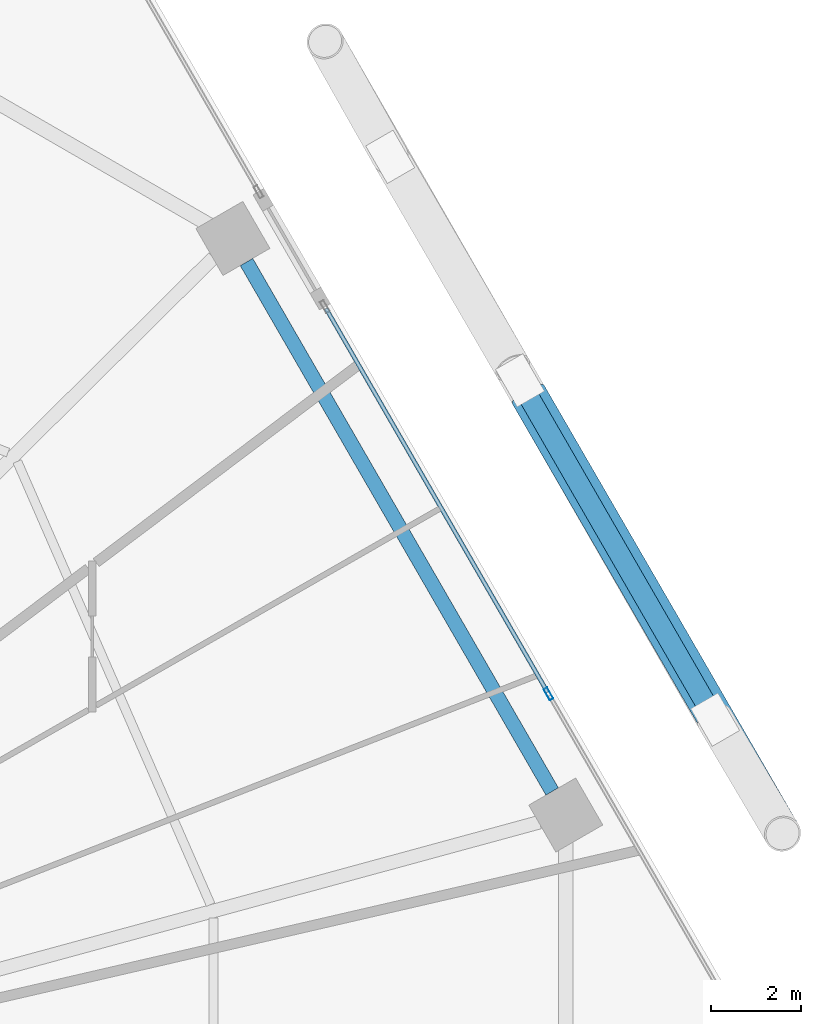
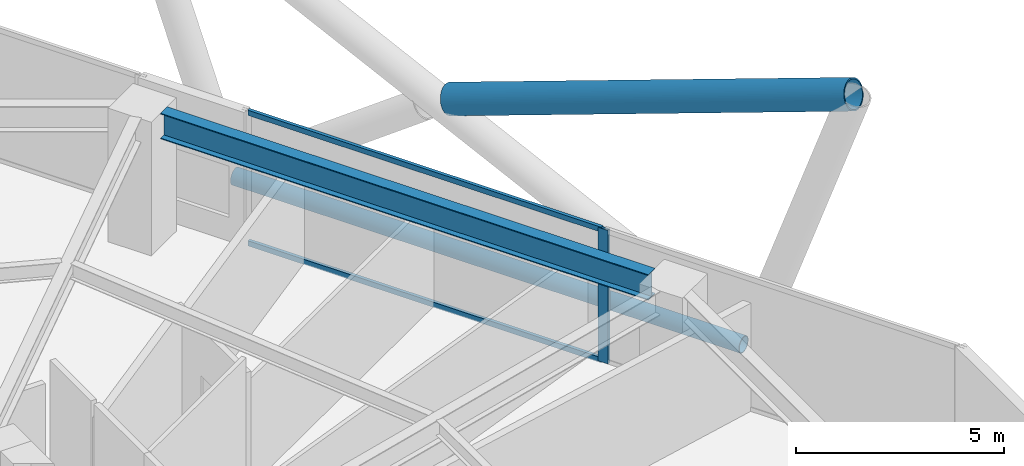
# One storey, part 19 of 28: 5 members, 1 beam, 1 element without a shape of its own.
"""IFC4 building model written with IfcOpenShell, lengths in metres."""

import ifcopenshell
import ifcopenshell.guid

model = None  # the IFC model being written
_history = None  # IfcOwnerHistory: only IFC2X3 demands one
_inside = {}  # id of a spatial element -> (the spatial element, [elements in it])
_under = {}  # id of a project, library or spatial element -> (it, [spatial elements below it])
_declared = {}  # id of a project -> (the project, [libraries it declares])
_typed = {}  # id of a type object -> (the type object, [elements of that type])
_made_of = {}  # id of a material, layer set ... -> (it, [elements and type objects made of it])


def new_model(schema):
    """Start an empty IFC model of exactly this schema.

    Asked for "IFC4X3", IfcOpenShell would pick the latest addendum, in which some entities
    have other attributes; the version numbers below select the first issue.
    IFC2X3 requires an IfcOwnerHistory on every rooted entity: one is made here for all.
    """
    global model, _history
    if schema == "IFC4X3":
        model = ifcopenshell.file(schema_version=(4, 3, 0, 0))
    else:
        model = ifcopenshell.file(schema=schema)
    _inside.clear()
    _under.clear()
    _declared.clear()
    _typed.clear()
    _made_of.clear()
    _history = None
    if model.schema == "IFC2X3":
        org = make("IfcOrganization", Name="unknown")
        user = make(
            "IfcPersonAndOrganization",
            ThePerson=make("IfcPerson", FamilyName="unknown"),
            TheOrganization=org,
        )
        app = make(
            "IfcApplication",
            ApplicationDeveloper=org,
            Version="unknown",
            ApplicationFullName="unknown",
            ApplicationIdentifier="unknown",
        )
        _history = make(
            "IfcOwnerHistory",
            OwningUser=user,
            OwningApplication=app,
            ChangeAction="ADDED",
            CreationDate=0,
        )
    return model


def make(cls, **values):
    """One entity of the class cls with the attributes given. An attribute that is None is left unset."""
    return model.create_entity(
        cls, **{name: value for name, value in values.items() if value is not None}
    )


def rooted(cls, **values):
    """An entity with a GlobalId (a new one), such as an element, a storey or a relation."""
    return make(cls, GlobalId=ifcopenshell.guid.new(), OwnerHistory=_history, **values)


def si_unit(unit_type, name, prefix=None):
    """IfcSIUnit, for example si_unit("LENGTHUNIT", "METRE", prefix="MILLI")."""
    return make("IfcSIUnit", UnitType=unit_type, Prefix=prefix, Name=name)


def assignment(units):
    """IfcUnitAssignment: the units of a project."""
    return None if units is None else make("IfcUnitAssignment", Units=units)


def point(xyz):
    """IfcCartesianPoint."""
    return None if xyz is None else make("IfcCartesianPoint", Coordinates=xyz)


def direction(xyz):
    """IfcDirection."""
    return None if xyz is None else make("IfcDirection", DirectionRatios=xyz)


def frame(location, z_axis=None, x_axis=None):
    """IfcAxis2Placement3D, a coordinate frame: its origin and axes. An axis left out is left unset."""
    return make(
        "IfcAxis2Placement3D",
        Location=point(location),
        Axis=direction(z_axis),
        RefDirection=direction(x_axis),
    )


def frame_2d(location, x_axis=None):
    """IfcAxis2Placement2D, a coordinate frame in the plane: its origin and x axis."""
    return make(
        "IfcAxis2Placement2D", Location=point(location), RefDirection=direction(x_axis)
    )


def origin():
    """The frame at (0, 0, 0) with its axes left unset."""
    return frame((0.0, 0.0, 0.0))


def origin_2d():
    """The frame at (0, 0) in the plane with its x axis left unset."""
    return frame_2d((0.0, 0.0))


def place(relative_to, where):
    """IfcLocalPlacement: puts the frame where relative to a parent placement (None: the world)."""
    return make(
        "IfcLocalPlacement", PlacementRelTo=relative_to, RelativePlacement=where
    )


def context(
    kind, dimensions, precision=None, world=None, true_north=None, identifier=None
):
    """IfcGeometricRepresentationContext, for example the 3D "Model" context."""
    return make(
        "IfcGeometricRepresentationContext",
        ContextIdentifier=identifier,
        ContextType=kind,
        CoordinateSpaceDimension=dimensions,
        Precision=precision,
        WorldCoordinateSystem=world,
        TrueNorth=true_north,
    )


def subcontext(parent, identifier, kind, view, scale=None):
    """IfcGeometricRepresentationSubContext, for example "Body" below "Model"."""
    return make(
        "IfcGeometricRepresentationSubContext",
        ContextIdentifier=identifier,
        ContextType=kind,
        ParentContext=parent,
        TargetScale=scale,
        TargetView=view,
    )


def project(units=None, contexts=None):
    """IfcProject with its units and contexts."""
    return rooted(
        "IfcProject",
        Name="project",
        RepresentationContexts=contexts,
        UnitsInContext=assignment(units),
    )


def spatial(cls, under=None, at=None, **own):
    """A site, building, storey or space (cls), placed at a placement, below another one or the project."""
    s = rooted(cls, ObjectPlacement=at, **own)
    if under is not None:
        _under.setdefault(under.id(), (under, []))[1].append(s)
    return s


def profile(cls, at=None, kind="AREA", **sizes):
    """A parametric profile (cls). Its sizes go by their IFC names, for example OverallWidth=200.0."""
    return make(cls, ProfileType=kind, Position=at, **sizes)


def hollow_rectangle(**sizes):
    """IfcRectangleHollowProfileDef."""
    return profile("IfcRectangleHollowProfileDef", **sizes)


def hollow_circle(**sizes):
    """IfcCircleHollowProfileDef."""
    return profile("IfcCircleHollowProfileDef", **sizes)


def i_section(**sizes):
    """IfcIShapeProfileDef."""
    return profile("IfcIShapeProfileDef", **sizes)


def extrude(swept, where, along, depth):
    """IfcExtrudedAreaSolid: the profile swept, set in the frame where, extruded along a direction by depth."""
    return make(
        "IfcExtrudedAreaSolid",
        SweptArea=swept,
        Position=where,
        ExtrudedDirection=direction(along),
        Depth=depth,
    )


def shape(context_of_items, identifier, shape_type, items):
    """IfcShapeRepresentation: the items that make up one representation, for example the "Body"."""
    return make(
        "IfcShapeRepresentation",
        ContextOfItems=context_of_items,
        RepresentationIdentifier=identifier,
        RepresentationType=shape_type,
        Items=items,
    )


def material(Name=None, Category=None):
    """IfcMaterial."""
    return make("IfcMaterial", Name=Name, Category=Category)


def material_profile(
    of_material, cross_section, Name=None, Category=None, Priority=None
):
    """IfcMaterialProfile: a cross section and its material."""
    return make(
        "IfcMaterialProfile",
        Name=Name,
        Material=of_material,
        Profile=cross_section,
        Priority=Priority,
        Category=Category,
    )


def profile_set(profiles, Name=None, composite=None):
    """IfcMaterialProfileSet."""
    return make(
        "IfcMaterialProfileSet",
        Name=Name,
        MaterialProfiles=profiles,
        CompositeProfile=composite,
    )


def made_of(thing, what):
    """Note that an element or type object is made of a material, layer set ...; save() writes the relation."""
    if what is not None:
        _made_of.setdefault(what.id(), (what, []))[1].append(thing)
    return thing


def type_object(cls, material=None, **own):
    """A type object (cls), such as IfcWallType, which elements share."""
    return made_of(rooted(cls, **own), material)


def element(
    cls,
    number,
    at=None,
    inside=None,
    cuts=None,
    type_object=None,
    material=None,
    context=None,
    identifier="Body",
    shape_type=None,
    held_by="IfcProductDefinitionShape",
    body=None,
    shapes=None,
    **own,
):
    """One element of the class cls, such as IfcWall. Its Tag is "e" and its number.

    at: its placement. inside: the storey or other place that contains it. cuts: it is an
    opening in that element (IfcRelVoidsElement). A single representation is given by context,
    identifier, shape_type and body (its items); several are given by shapes. held_by: the class
    of the entity that holds the representations. save() writes the other relations.
    """
    e = rooted(cls, Tag="e%d" % number, ObjectPlacement=at, **own)
    if body is not None:
        shapes = [shape(context, identifier, shape_type, body)]
    if shapes is not None:
        e.Representation = make(held_by, Representations=shapes)
    if inside is not None:
        _inside.setdefault(inside.id(), (inside, []))[1].append(e)
    if cuts is not None:
        rooted(
            "IfcRelVoidsElement", RelatingBuildingElement=cuts, RelatedOpeningElement=e
        )
    if type_object is not None:
        _typed.setdefault(type_object.id(), (type_object, []))[1].append(e)
    return made_of(e, material)


def aggregate(whole, parts):
    """IfcRelAggregates: a whole, such as a stair, and the parts it consists of."""
    return rooted("IfcRelAggregates", RelatingObject=whole, RelatedObjects=parts)


def save(model, path):
    """Write the relations noted so far, then the file.

    IfcRelAggregates (storeys below a building ...), IfcRelContainedInSpatialStructure (elements
    in a storey), IfcRelDefinesByType, IfcRelAssociatesMaterial and IfcRelDeclares: one each for
    every whole, place, type object, material and project.
    """
    for whole, parts in _under.values():
        aggregate(whole, parts)
    for where, things in _inside.values():
        rooted(
            "IfcRelContainedInSpatialStructure",
            RelatedElements=things,
            RelatingStructure=where,
        )
    for kind, things in _typed.values():
        rooted("IfcRelDefinesByType", RelatedObjects=things, RelatingType=kind)
    for what, things in _made_of.values():
        rooted("IfcRelAssociatesMaterial", RelatedObjects=things, RelatingMaterial=what)
    for by, libraries in _declared.values():
        rooted("IfcRelDeclares", RelatingContext=by, RelatedDefinitions=libraries)
    model.write(path)


model = new_model("IFC4")

# Units and contexts
model_context = context("Model", 3, precision=1e-05, world=origin(), true_north=direction((0.0, 1.0)))
body_context = subcontext(model_context, "Body", "Model", "MODEL_VIEW")
ifc_project = project(units=[si_unit("LENGTHUNIT", "METRE"), si_unit("AREAUNIT", "SQUARE_METRE"), si_unit("VOLUMEUNIT", "CUBIC_METRE"), si_unit("PLANEANGLEUNIT", "RADIAN"), si_unit("MASSUNIT", "GRAM", prefix="KILO")], contexts=[model_context])

# Site, building, storey
site_placement = place(None, origin())
site = spatial("IfcSite", under=ifc_project, at=site_placement, CompositionType="ELEMENT")
building_placement = place(site_placement, origin())
building = spatial("IfcBuilding", under=site, at=building_placement, Name="Zuhravey Tower", CompositionType="ELEMENT")
storey_placement = place(building_placement, frame((0.0, 0.0, 49.800048828125)))
storey = spatial("IfcBuildingStorey", under=building, at=storey_placement, Name="L12", CompositionType="ELEMENT", Elevation=49.800048828125)

# Curtain wall, members
ifc_material_1 = material(Name="Thermally broken anodised aluminium", Category="aluminium")
curtain_wall_type = type_object("IfcCurtainWallType", Name="School Low-E Unitised Curtain Wall CW1", PredefinedType="NOTDEFINED", material=ifc_material_1)
curtain_wall_placement = place(storey_placement, origin())
curtain_wall = element("IfcCurtainWall", 1, at=curtain_wall_placement, inside=storey, type_object=curtain_wall_type, Name="L12 CW1 CW-L12-F1-2", PredefinedType="NOTDEFINED")
ifc_material_2 = material(Name="Anodised aluminium", Category="aluminium")
ifc_material_profile_1 = material_profile(ifc_material_2, hollow_rectangle(XDim=0.090087890625, YDim=0.284912109375, WallThickness=0.0048828125, at=origin_2d()), Name="ALU-RHS-90x285x5")
ifc_profile_set_1 = profile_set([ifc_material_profile_1], Name="Anodised aluminium")
member_type_1 = type_object("IfcMemberType", Name="Curtain-Wall Mullion 90x180", PredefinedType="MULLION", material=ifc_profile_set_1)
member_1_placement = place(storey_placement, frame((63.5068359375, 42.2734375, 0.0), z_axis=(0.0, 0.0, 1.0), x_axis=(0.866025056944, 0.500000600745, 0.0)))
member_1 = element("IfcMember", 2, at=member_1_placement, type_object=member_type_1, Name="CW1 mullion 2", PredefinedType="MULLION", context=body_context, shape_type="SweptSolid", body=[
    extrude(hollow_rectangle(XDim=0.090087890625, YDim=0.284912109375, WallThickness=0.0048828125, at=origin_2d()), origin(), (0.0, 0.0, 1.0), 3.919921875),
])
ifc_material_profile_2 = material_profile(ifc_material_2, hollow_rectangle(XDim=0.090087890625, YDim=0.14990234375, WallThickness=0.0048828125, at=origin_2d()), Name="ALU-RHS-90x150x5")
ifc_profile_set_2 = profile_set([ifc_material_profile_2], Name="Anodised aluminium")
member_type_2 = type_object("IfcMemberType", Name="Curtain-Wall Transom 90x150", PredefinedType="USERDEFINED", material=ifc_profile_set_2)
member_2_placement = place(storey_placement, frame((58.580322265625, 50.806640625, 0.044921875), z_axis=(0.499996815763, -0.866027242197, 0.0), x_axis=(0.866027242197, 0.499996815763, 0.0)))
member_2 = element("IfcMember", 3, at=member_2_placement, type_object=member_type_2, Name="CW1 transom 1.1", ObjectType="TRANSOM", PredefinedType="USERDEFINED", context=body_context, shape_type="SweptSolid", body=[
    extrude(hollow_rectangle(XDim=0.090087890625, YDim=0.14990234375, WallThickness=0.0048828125, at=origin_2d()), origin(), (0.0, 0.0, 1.0), 9.80810546875),
])
member_3_placement = place(storey_placement, frame((58.580322265625, 50.806640625, 3.875), z_axis=(0.499996815763, -0.866027242197, 0.0), x_axis=(0.866027242197, 0.499996815763, 0.0)))
member_3 = element("IfcMember", 4, at=member_3_placement, type_object=member_type_2, Name="CW1 transom 1.2", ObjectType="TRANSOM", PredefinedType="USERDEFINED", context=body_context, shape_type="SweptSolid", body=[
    extrude(hollow_rectangle(XDim=0.090087890625, YDim=0.14990234375, WallThickness=0.0048828125, at=origin_2d()), origin(), (0.0, 0.0, 1.0), 9.80810546875),
])
aggregate(curtain_wall, [member_1, member_2, member_3])

# Members
ifc_material_3 = material(Name="Steel SM355", Category="steel")
ifc_material_profile_3 = material_profile(ifc_material_3, hollow_circle(Radius=0.228515625, WallThickness=0.02197265625, at=origin_2d()), Name="CHS-457.2x22")
ifc_profile_set_3 = profile_set([ifc_material_profile_3], Name="Steel SM355")
member_type_3 = type_object("IfcMemberType", Name="Exoskeleton Ring Tie CHS457x22", PredefinedType="CHORD", material=ifc_profile_set_3)
member_4_placement = place(storey_placement, frame((67.125732421875, 41.825439453125, -0.494140625), z_axis=(-0.499995593262, 0.866027948001, 0.0), x_axis=(-0.866027948001, -0.499995593262, 0.0)))
element("IfcMember", 5, at=member_4_placement, inside=storey, type_object=member_type_3, Name="L12 Exoskeleton Face 1 Tie EXR1", PredefinedType="CHORD", context=body_context, shape_type="SweptSolid", body=[
    extrude(hollow_circle(Radius=0.228515625, WallThickness=0.02197265625, at=origin_2d()), origin(), (0.0, 0.0, 1.0), 14.107666015625),
])
ifc_material_4 = material(Name="Steel SM460", Category="steel")
ifc_material_profile_4 = material_profile(ifc_material_4, hollow_circle(Radius=0.406494140625, WallThickness=0.035888671875, at=origin_2d()), Name="CHS-812.8x36")
ifc_profile_set_4 = profile_set([ifc_material_profile_4], Name="Steel SM460")
member_type_4 = type_object("IfcMemberType", Name="Exoskeleton Zone 1 Diagrid CHS813x36", PredefinedType="BRACE", material=ifc_profile_set_4)
member_5_placement = place(storey_placement, frame((63.06298828125, 48.8935546875, 3.8408203125), z_axis=(0.471219338918, -0.813758287906, 0.340220198539), x_axis=(0.865381959658, 0.501112825518, 0.0)))
element("IfcMember", 6, at=member_5_placement, inside=storey, type_object=member_type_4, Name="L12 Face 1 Split Diagrid Brace 3B", PredefinedType="BRACE", context=body_context, shape_type="SweptSolid", body=[
    extrude(hollow_circle(Radius=0.406494140625, WallThickness=0.035888671875, at=origin_2d()), origin(), (0.0, 0.0, 1.0), 11.897705078125),
])

# Beam
ifc_material_profile_5 = material_profile(ifc_material_3, i_section(OverallWidth=0.320068359375, OverallDepth=0.75, WebThickness=0.013916015625, FlangeThickness=0.02490234375, at=origin_2d()), Name="H-750x320x14x25")
ifc_profile_set_5 = profile_set([ifc_material_profile_5], Name="Steel SM355")
beam_type = type_object("IfcBeamType", Name="Perimeter Ring Beam H750x320", PredefinedType="BEAM", material=ifc_profile_set_5)
beam_placement = place(storey_placement, frame((63.587646484375, 40.11376953125, 3.544921875), z_axis=(-0.499999877243, 0.866025474658, 0.0), x_axis=(-0.866025474658, -0.499999877243, 0.0)))
element("IfcBeam", 7, at=beam_placement, inside=storey, type_object=beam_type, Name="L12 PB1 BM-L12-PB-01", PredefinedType="BEAM", context=body_context, shape_type="SweptSolid", body=[
    extrude(i_section(OverallWidth=0.320068359375, OverallDepth=0.75, WebThickness=0.013916015625, FlangeThickness=0.02490234375, at=origin_2d()), origin(), (0.0, 0.0, 1.0), 13.5341796875),
])

save(model, "model.ifc")
